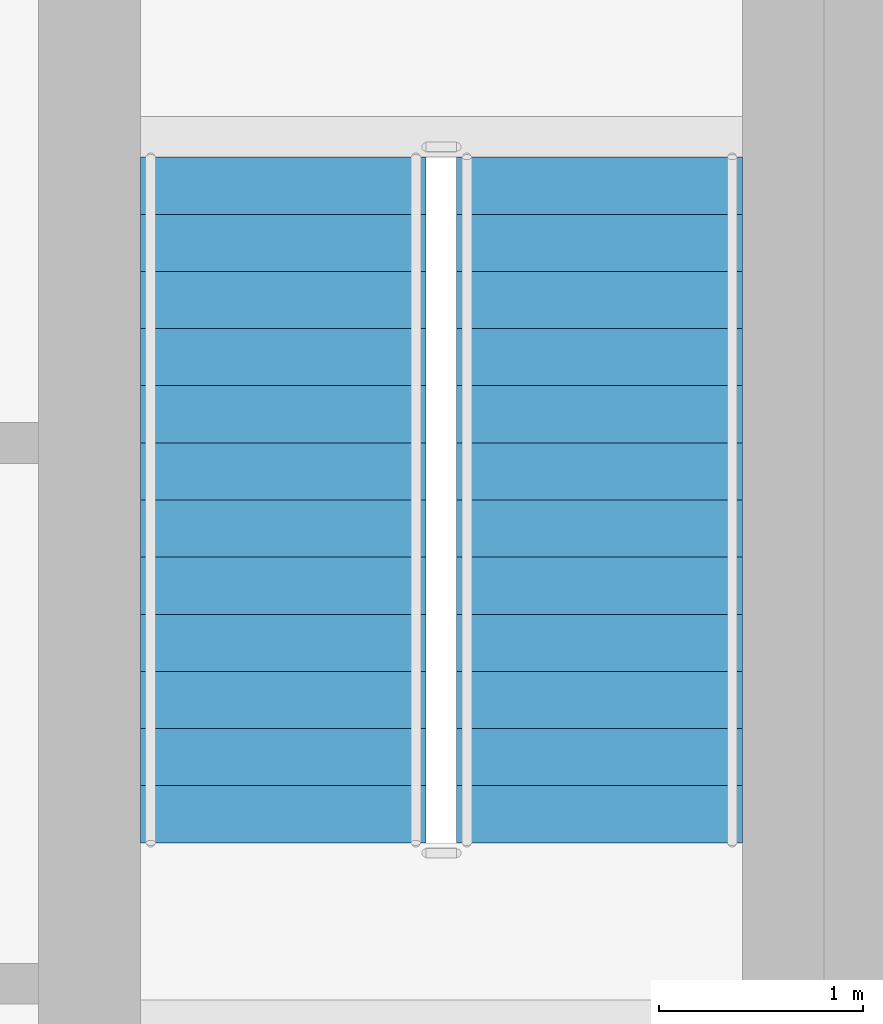
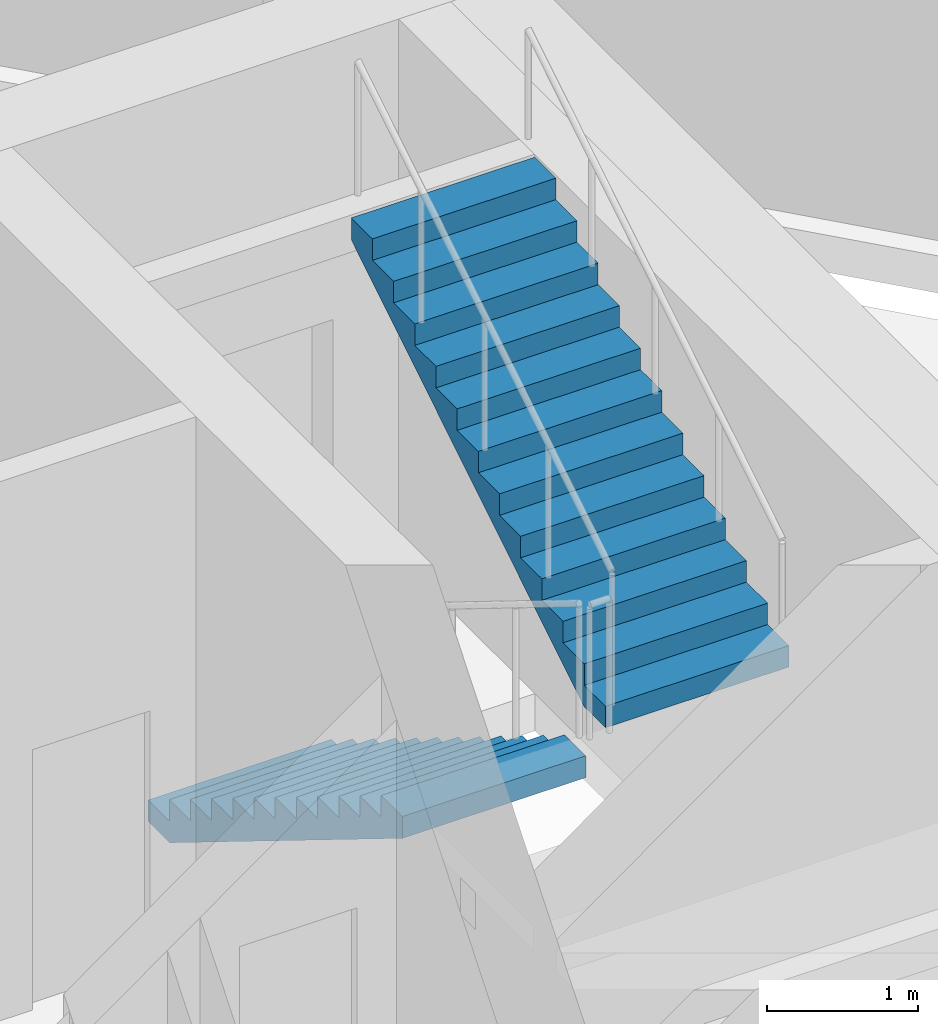
# One storey, part 12 of 21: 2 stair flights, 1 element without a shape of its own.
"""IFC4 building model written with IfcOpenShell, lengths in metres."""

from ifc_helpers import new_model, si_unit, direction, frame, origin, place, context, subcontext, project, spatial, polyline, outline, extrude, material, type_object, element, aggregate, save


model = new_model("IFC4")

# Units and contexts
model_context = context("Model", 3, precision=1e-05, world=origin(), true_north=direction((0.0, 1.0)))
body_context = subcontext(model_context, "Body", "Model", "MODEL_VIEW")
ifc_project = project(units=[si_unit("LENGTHUNIT", "METRE"), si_unit("AREAUNIT", "SQUARE_METRE"), si_unit("VOLUMEUNIT", "CUBIC_METRE"), si_unit("PLANEANGLEUNIT", "RADIAN"), si_unit("MASSUNIT", "GRAM", prefix="KILO")], contexts=[model_context])

# Site, building, storey
site_placement = place(None, origin())
site = spatial("IfcSite", under=ifc_project, at=site_placement, CompositionType="ELEMENT")
building_placement = place(site_placement, origin())
building = spatial("IfcBuilding", under=site, at=building_placement, Name="Isthmus Gate Tower", CompositionType="ELEMENT")
storey_placement = place(building_placement, frame((0.0, 0.0, 211.800048828125)))
storey = spatial("IfcBuildingStorey", under=building, at=storey_placement, Name="L53", CompositionType="ELEMENT", Elevation=211.800048828125)

# Stair, stair flights
ifc_material_1 = material(Name="Concrete f'c 40 MPa", Category="concrete")
stair_type = type_object("IfcStairType", Name="CORE STAIR 26 RISERS", PredefinedType="HALF_TURN_STAIR", material=ifc_material_1)
stair_placement = place(storey_placement, origin())
stair = element("IfcStair", 1, at=stair_placement, inside=storey, type_object=stair_type, Name="L53 Exit Stair 2", PredefinedType="HALF_TURN_STAIR")
ifc_material_2 = material(Name="Concrete f'c 40 MPa", Category="concrete")
stair_flight_type = type_object("IfcStairFlightType", Name="STAIR FLIGHT RC 1400", PredefinedType="STRAIGHT", material=ifc_material_2)
stair_flight_1_placement = place(storey_placement, frame((11.75, 12.60009765625, 0.0), z_axis=(0.0, 0.0, 1.0), x_axis=(0.0, -1.0, 0.0)))
stair_flight_1 = element("IfcStairFlight", 2, at=stair_flight_1_placement, type_object=stair_flight_type, Name="ST2 flight 1", NumberOfRisers=13, NumberOfTreads=12, PredefinedType="STRAIGHT", RiserHeight=0.173076923, TreadLength=0.28, context=body_context, shape_type="SweptSolid", body=[
    extrude(outline(polyline([(0.0, 0.0), (0.0, 0.173095703125), (0.280029296875, 0.173095703125), (0.280029296875, 0.34619140625), (0.56005859375, 0.34619140625), (0.56005859375, 0.519287109375), (0.840087890625, 0.519287109375), (0.840087890625, 0.6923828125), (1.1201171875, 0.6923828125), (1.1201171875, 0.865478515625), (1.39990234375, 0.865478515625), (1.39990234375, 1.03857421875), (1.679931640625, 1.03857421875), (1.679931640625, 1.21142578125), (1.9599609375, 1.21142578125), (1.9599609375, 1.384521484375), (2.239990234375, 1.384521484375), (2.239990234375, 1.5576171875), (2.52001953125, 1.5576171875), (2.52001953125, 1.730712890625), (2.800048828125, 1.730712890625), (2.800048828125, 1.90380859375), (3.080078125, 1.90380859375), (3.080078125, 2.076904296875), (3.360107421875, 2.076904296875), (3.360107421875, 2.25), (3.360107421875, 1.900634765625), (0.28515625, 0.0), (0.0, 0.0)])), frame((0.0, 0.699951171875, 0.0), z_axis=(0.0, -1.0, 0.0), x_axis=(1.0, 0.0, 0.0)), (0.0, 0.0, 1.0), 1.39990234375),
])
stair_flight_2_placement = place(storey_placement, frame((13.300048828125, 9.239990234375, 2.25), z_axis=(0.0, 0.0, 1.0), x_axis=(0.0, 1.0, 0.0)))
stair_flight_2 = element("IfcStairFlight", 3, at=stair_flight_2_placement, type_object=stair_flight_type, Name="ST2 flight 2", NumberOfRisers=13, NumberOfTreads=12, PredefinedType="STRAIGHT", RiserHeight=0.173076923, TreadLength=0.28, context=body_context, shape_type="SweptSolid", body=[
    extrude(outline(polyline([(0.0, 0.0), (0.0, 0.173095703125), (0.280029296875, 0.173095703125), (0.280029296875, 0.34619140625), (0.56005859375, 0.34619140625), (0.56005859375, 0.519287109375), (0.840087890625, 0.519287109375), (0.840087890625, 0.6923828125), (1.1201171875, 0.6923828125), (1.1201171875, 0.865478515625), (1.39990234375, 0.865478515625), (1.39990234375, 1.03857421875), (1.679931640625, 1.03857421875), (1.679931640625, 1.21142578125), (1.9599609375, 1.21142578125), (1.9599609375, 1.384521484375), (2.239990234375, 1.384521484375), (2.239990234375, 1.5576171875), (2.52001953125, 1.5576171875), (2.52001953125, 1.730712890625), (2.800048828125, 1.730712890625), (2.800048828125, 1.90380859375), (3.080078125, 1.90380859375), (3.080078125, 2.076904296875), (3.360107421875, 2.076904296875), (3.360107421875, 2.25), (3.360107421875, 1.900634765625), (0.28515625, 0.0), (0.0, 0.0)])), frame((0.0, 0.699951171875, 0.0), z_axis=(0.0, -1.0, 0.0), x_axis=(1.0, 0.0, 0.0)), (0.0, 0.0, 1.0), 1.39990234375),
])
aggregate(stair, [stair_flight_1, stair_flight_2])

save(model, "model.ifc")
